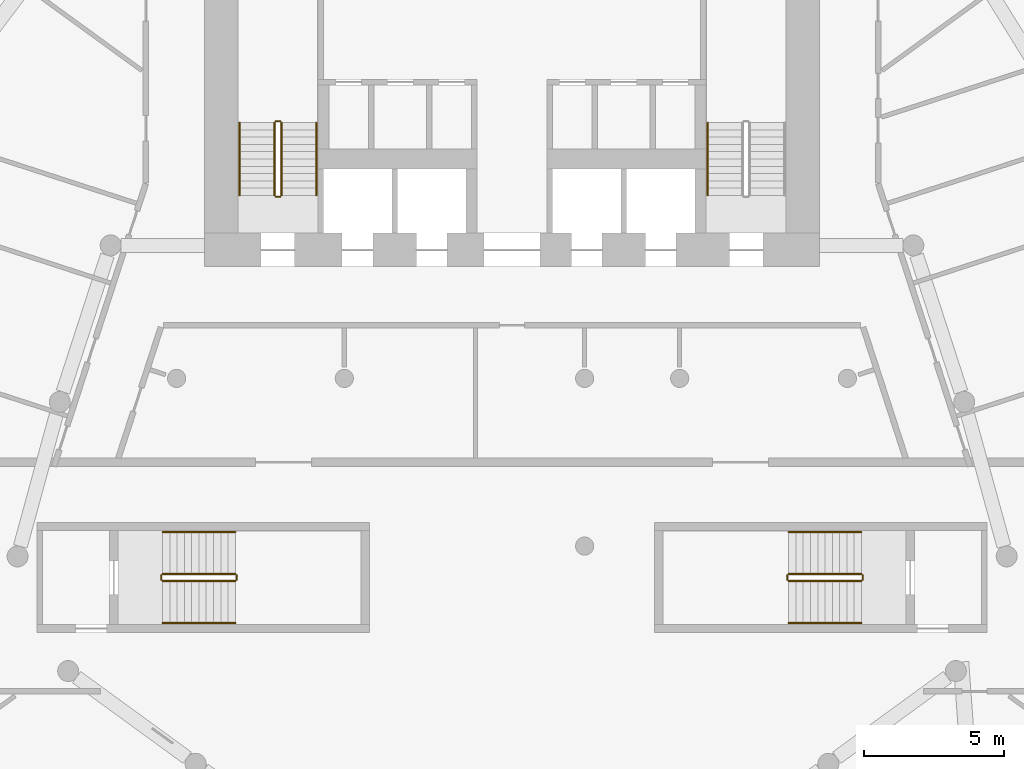
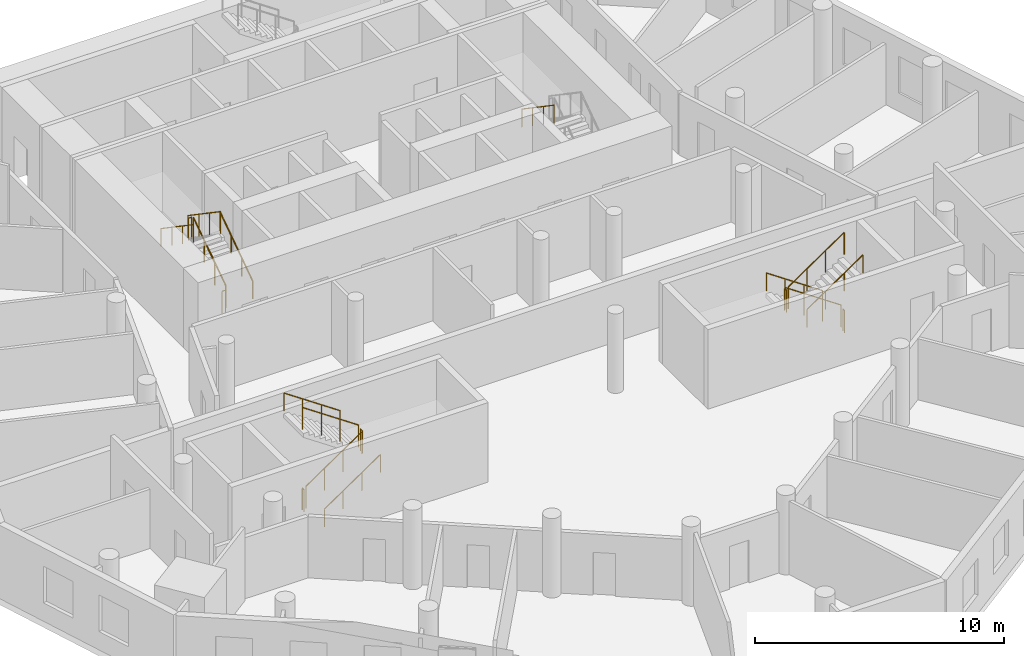
# One storey, part 8 of 9: 19 railings.
"""IFC4 building model written with IfcOpenShell, lengths in metres."""

from ifc_helpers import new_model, si_unit, direction, frame, origin, origin_2d, place, context, subcontext, project, spatial, circle, extrude, material, type_object, element, save


model = new_model("IFC4")

# Units and contexts
model_context = context("Model", 3, precision=1e-05, world=origin(), true_north=direction((0.0, 1.0)))
body_context = subcontext(model_context, "Body", "Model", "MODEL_VIEW")
ifc_project = project(units=[si_unit("LENGTHUNIT", "METRE"), si_unit("AREAUNIT", "SQUARE_METRE"), si_unit("VOLUMEUNIT", "CUBIC_METRE"), si_unit("PLANEANGLEUNIT", "RADIAN"), si_unit("MASSUNIT", "GRAM", prefix="KILO")], contexts=[model_context])

# Site, building, storey
site_placement = place(None, origin())
site = spatial("IfcSite", under=ifc_project, at=site_placement, CompositionType="ELEMENT")
building_placement = place(site_placement, origin())
building = spatial("IfcBuilding", under=site, at=building_placement, Name="White Candle Pilgrim Tower", CompositionType="ELEMENT")
storey_placement = place(building_placement, frame((0.0, 0.0, 58.5)))
storey = spatial("IfcBuildingStorey", under=building, at=storey_placement, Name="L11", CompositionType="ELEMENT", Elevation=58.5)

# Railings
ifc_material = material(Name="Stainless steel", Category="steel")
railing_type_1 = type_object("IfcRailingType", Name="Stair guard stainless steel 1100 mm", PredefinedType="GUARDRAIL", material=ifc_material)
railing_1_placement = place(storey_placement, frame((61.75, 73.550048828125, 0.17724609375)))
element("IfcRailing", 1, at=railing_1_placement, inside=storey, type_object=railing_type_1, Name="L11 ST1 stair guard 1", PredefinedType="GUARDRAIL", context=body_context, shape_type="SweptSolid", body=[
    extrude(circle(Radius=0.02392578125, at=origin_2d()), frame((0.0, 0.0, 1.076171875), z_axis=(0.0, 0.826215852431, 0.563353676824), x_axis=(-1.0, 0.0, 0.0)), (0.0, 0.0, 1.0), 3.146728515625),
    extrude(circle(Radius=0.02099609375, at=origin_2d()), origin(), (0.0, 0.0, 1.0), 1.052001953125),
    extrude(circle(Radius=0.02099609375, at=origin_2d()), frame((0.0, 0.86669921875, 0.5908203125)), (0.0, 0.0, 1.0), 1.052001953125),
    extrude(circle(Radius=0.02099609375, at=origin_2d()), frame((0.0, 1.733154296875, 1.181884765625)), (0.0, 0.0, 1.0), 1.052001953125),
    extrude(circle(Radius=0.02099609375, at=origin_2d()), frame((0.0, 2.599853515625, 1.772705078125)), (0.0, 0.0, 1.0), 1.052001953125),
])
railing_2_placement = place(storey_placement, frame((61.699951171875, 76.199951171875, 1.949951171875)))
element("IfcRailing", 2, at=railing_2_placement, inside=storey, type_object=railing_type_1, Name="L11 ST1 stair guard 2", PredefinedType="GUARDRAIL", context=body_context, shape_type="SweptSolid", body=[
    extrude(circle(Radius=0.02392578125, at=origin_2d()), frame((0.0, 0.0, 1.076171875), z_axis=(-1.0, 0.0, 0.0), x_axis=(0.0, -1.0, 0.0)), (0.0, 0.0, 1.0), 0.14990234375),
    extrude(circle(Radius=0.02099609375, at=origin_2d()), origin(), (0.0, 0.0, 1.0), 1.052001953125),
    extrude(circle(Radius=0.02099609375, at=origin_2d()), frame((-0.14990234375, 0.0, 0.0)), (0.0, 0.0, 1.0), 1.052001953125),
])
railing_3_placement = place(storey_placement, frame((61.5, 76.14990234375, 2.127197265625)))
element("IfcRailing", 3, at=railing_3_placement, inside=storey, type_object=railing_type_1, Name="L11 ST1 stair guard 3", PredefinedType="GUARDRAIL", context=body_context, shape_type="SweptSolid", body=[
    extrude(circle(Radius=0.02392578125, at=origin_2d()), frame((0.0, 0.0, 1.076171875), z_axis=(0.0, -0.826215852431, 0.563353676824), x_axis=(1.0, 0.0, 0.0)), (0.0, 0.0, 1.0), 3.146728515625),
    extrude(circle(Radius=0.02099609375, at=origin_2d()), origin(), (0.0, 0.0, 1.0), 1.052001953125),
    extrude(circle(Radius=0.02099609375, at=origin_2d()), frame((0.0, -0.86669921875, 0.5908203125)), (0.0, 0.0, 1.0), 1.052001953125),
    extrude(circle(Radius=0.02099609375, at=origin_2d()), frame((0.0, -1.733154296875, 1.181884765625)), (0.0, 0.0, 1.0), 1.052001953125),
    extrude(circle(Radius=0.02099609375, at=origin_2d()), frame((0.0, -2.599853515625, 1.772705078125)), (0.0, 0.0, 1.0), 1.052001953125),
])
railing_4_placement = place(storey_placement, frame((61.699951171875, 73.5, 0.0)))
element("IfcRailing", 4, at=railing_4_placement, inside=storey, type_object=railing_type_1, Name="L11 ST1 stair guard 4", PredefinedType="GUARDRAIL", context=body_context, shape_type="SweptSolid", body=[
    extrude(circle(Radius=0.02392578125, at=origin_2d()), frame((0.0, 0.0, 1.076171875), z_axis=(-1.0, 0.0, 0.0), x_axis=(0.0, -1.0, 0.0)), (0.0, 0.0, 1.0), 0.14990234375),
    extrude(circle(Radius=0.02099609375, at=origin_2d()), origin(), (0.0, 0.0, 1.0), 1.052001953125),
    extrude(circle(Radius=0.02099609375, at=origin_2d()), frame((-0.14990234375, 0.0, 0.0)), (0.0, 0.0, 1.0), 1.052001953125),
])
railing_5_placement = place(storey_placement, frame((82.5, 60.0, 0.17724609375)))
element("IfcRailing", 5, at=railing_5_placement, inside=storey, type_object=railing_type_1, Name="L11 ST4 stair guard 1", PredefinedType="GUARDRAIL", context=body_context, shape_type="SweptSolid", body=[
    extrude(circle(Radius=0.02392578125, at=origin_2d()), frame((0.0, 0.0, 1.076171875), z_axis=(-0.826240473404, 0.0, 0.563317565952), x_axis=(0.0, -1.0, 0.0)), (0.0, 0.0, 1.0), 3.14697265625),
    extrude(circle(Radius=0.02099609375, at=origin_2d()), origin(), (0.0, 0.0, 1.0), 1.052001953125),
    extrude(circle(Radius=0.02099609375, at=origin_2d()), frame((-0.86669921875, 0.0, 0.5908203125)), (0.0, 0.0, 1.0), 1.052001953125),
    extrude(circle(Radius=0.02099609375, at=origin_2d()), frame((-1.7333984375, 0.0, 1.181884765625)), (0.0, 0.0, 1.0), 1.052001953125),
    extrude(circle(Radius=0.02099609375, at=origin_2d()), frame((-2.60009765625, 0.0, 1.772705078125)), (0.0, 0.0, 1.0), 1.052001953125),
])
railing_6_placement = place(storey_placement, frame((79.85009765625, 59.949951171875, 1.949951171875)))
element("IfcRailing", 6, at=railing_6_placement, inside=storey, type_object=railing_type_1, Name="L11 ST4 stair guard 2", PredefinedType="GUARDRAIL", context=body_context, shape_type="SweptSolid", body=[
    extrude(circle(Radius=0.02392578125, at=origin_2d()), frame((0.0, 0.0, 1.076171875), z_axis=(0.0, -1.0, 0.0), x_axis=(1.0, 0.0, 0.0)), (0.0, 0.0, 1.0), 0.14990234375),
    extrude(circle(Radius=0.02099609375, at=origin_2d()), origin(), (0.0, 0.0, 1.0), 1.052001953125),
    extrude(circle(Radius=0.02099609375, at=origin_2d()), frame((0.0, -0.14990234375, 0.0)), (0.0, 0.0, 1.0), 1.052001953125),
])
railing_7_placement = place(storey_placement, frame((79.89990234375, 59.75, 2.127197265625)))
element("IfcRailing", 7, at=railing_7_placement, inside=storey, type_object=railing_type_1, Name="L11 ST4 stair guard 3", PredefinedType="GUARDRAIL", context=body_context, shape_type="SweptSolid", body=[
    extrude(circle(Radius=0.02392578125, at=origin_2d()), frame((0.0, 0.0, 1.076171875), z_axis=(0.826240473404, 0.0, 0.563317565952), x_axis=(0.0, 1.0, 0.0)), (0.0, 0.0, 1.0), 3.14697265625),
    extrude(circle(Radius=0.02099609375, at=origin_2d()), origin(), (0.0, 0.0, 1.0), 1.052001953125),
    extrude(circle(Radius=0.02099609375, at=origin_2d()), frame((0.86669921875, 0.0, 0.5908203125)), (0.0, 0.0, 1.0), 1.052001953125),
    extrude(circle(Radius=0.02099609375, at=origin_2d()), frame((1.7333984375, 0.0, 1.181884765625)), (0.0, 0.0, 1.0), 1.052001953125),
    extrude(circle(Radius=0.02099609375, at=origin_2d()), frame((2.60009765625, 0.0, 1.772705078125)), (0.0, 0.0, 1.0), 1.052001953125),
])
railing_8_placement = place(storey_placement, frame((82.550048828125, 59.949951171875, 0.0)))
element("IfcRailing", 8, at=railing_8_placement, inside=storey, type_object=railing_type_1, Name="L11 ST4 stair guard 4", PredefinedType="GUARDRAIL", context=body_context, shape_type="SweptSolid", body=[
    extrude(circle(Radius=0.02392578125, at=origin_2d()), frame((0.0, 0.0, 1.076171875), z_axis=(0.0, -1.0, 0.0), x_axis=(1.0, 0.0, 0.0)), (0.0, 0.0, 1.0), 0.14990234375),
    extrude(circle(Radius=0.02099609375, at=origin_2d()), origin(), (0.0, 0.0, 1.0), 1.052001953125),
    extrude(circle(Radius=0.02099609375, at=origin_2d()), frame((0.0, -0.14990234375, 0.0)), (0.0, 0.0, 1.0), 1.052001953125),
])
railing_9_placement = place(storey_placement, frame((57.5, 59.75, 0.17724609375)))
element("IfcRailing", 9, at=railing_9_placement, inside=storey, type_object=railing_type_1, Name="L11 ST5 stair guard 1", PredefinedType="GUARDRAIL", context=body_context, shape_type="SweptSolid", body=[
    extrude(circle(Radius=0.02392578125, at=origin_2d()), frame((0.0, 0.0, 1.076171875), z_axis=(0.826240473404, 0.0, 0.563317565952), x_axis=(0.0, 1.0, 0.0)), (0.0, 0.0, 1.0), 3.14697265625),
    extrude(circle(Radius=0.02099609375, at=origin_2d()), origin(), (0.0, 0.0, 1.0), 1.052001953125),
    extrude(circle(Radius=0.02099609375, at=origin_2d()), frame((0.86669921875, 0.0, 0.5908203125)), (0.0, 0.0, 1.0), 1.052001953125),
    extrude(circle(Radius=0.02099609375, at=origin_2d()), frame((1.7333984375, 0.0, 1.181884765625)), (0.0, 0.0, 1.0), 1.052001953125),
    extrude(circle(Radius=0.02099609375, at=origin_2d()), frame((2.60009765625, 0.0, 1.772705078125)), (0.0, 0.0, 1.0), 1.052001953125),
])
railing_10_placement = place(storey_placement, frame((60.14990234375, 59.800048828125, 1.949951171875)))
element("IfcRailing", 10, at=railing_10_placement, inside=storey, type_object=railing_type_1, Name="L11 ST5 stair guard 2", PredefinedType="GUARDRAIL", context=body_context, shape_type="SweptSolid", body=[
    extrude(circle(Radius=0.02392578125, at=origin_2d()), frame((0.0, 0.0, 1.076171875), z_axis=(0.0, 1.0, 0.0), x_axis=(-1.0, 0.0, 0.0)), (0.0, 0.0, 1.0), 0.14990234375),
    extrude(circle(Radius=0.02099609375, at=origin_2d()), origin(), (0.0, 0.0, 1.0), 1.052001953125),
    extrude(circle(Radius=0.02099609375, at=origin_2d()), frame((0.0, 0.14990234375, 0.0)), (0.0, 0.0, 1.0), 1.052001953125),
])
railing_11_placement = place(storey_placement, frame((60.10009765625, 60.0, 2.127197265625)))
element("IfcRailing", 11, at=railing_11_placement, inside=storey, type_object=railing_type_1, Name="L11 ST5 stair guard 3", PredefinedType="GUARDRAIL", context=body_context, shape_type="SweptSolid", body=[
    extrude(circle(Radius=0.02392578125, at=origin_2d()), frame((0.0, 0.0, 1.076171875), z_axis=(-0.826240473404, 0.0, 0.563317565952), x_axis=(0.0, -1.0, 0.0)), (0.0, 0.0, 1.0), 3.14697265625),
    extrude(circle(Radius=0.02099609375, at=origin_2d()), origin(), (0.0, 0.0, 1.0), 1.052001953125),
    extrude(circle(Radius=0.02099609375, at=origin_2d()), frame((-0.86669921875, 0.0, 0.5908203125)), (0.0, 0.0, 1.0), 1.052001953125),
    extrude(circle(Radius=0.02099609375, at=origin_2d()), frame((-1.7333984375, 0.0, 1.181884765625)), (0.0, 0.0, 1.0), 1.052001953125),
    extrude(circle(Radius=0.02099609375, at=origin_2d()), frame((-2.60009765625, 0.0, 1.772705078125)), (0.0, 0.0, 1.0), 1.052001953125),
])
railing_12_placement = place(storey_placement, frame((57.449951171875, 59.800048828125, 0.0)))
element("IfcRailing", 12, at=railing_12_placement, inside=storey, type_object=railing_type_1, Name="L11 ST5 stair guard 4", PredefinedType="GUARDRAIL", context=body_context, shape_type="SweptSolid", body=[
    extrude(circle(Radius=0.02392578125, at=origin_2d()), frame((0.0, 0.0, 1.076171875), z_axis=(0.0, 1.0, 0.0), x_axis=(-1.0, 0.0, 0.0)), (0.0, 0.0, 1.0), 0.14990234375),
    extrude(circle(Radius=0.02099609375, at=origin_2d()), origin(), (0.0, 0.0, 1.0), 1.052001953125),
    extrude(circle(Radius=0.02099609375, at=origin_2d()), frame((0.0, 0.14990234375, 0.0)), (0.0, 0.0, 1.0), 1.052001953125),
])
railing_type_2 = type_object("IfcRailingType", Name="Stair handrail stainless steel", PredefinedType="HANDRAIL", material=ifc_material)
railing_13_placement = place(storey_placement, frame((63.0, 73.550048828125, 0.17724609375)))
element("IfcRailing", 13, at=railing_13_placement, inside=storey, type_object=railing_type_2, Name="L11 ST1 stair handrail 1", PredefinedType="HANDRAIL", context=body_context, shape_type="SweptSolid", body=[
    extrude(circle(Radius=0.02392578125, at=origin_2d()), frame((0.0, 0.0, 0.8759765625), z_axis=(0.0, 0.826215852431, 0.563353676824), x_axis=(-1.0, 0.0, 0.0)), (0.0, 0.0, 1.0), 3.146728515625),
    extrude(circle(Radius=0.02099609375, at=origin_2d()), origin(), (0.0, 0.0, 1.0), 0.851806640625),
    extrude(circle(Radius=0.02099609375, at=origin_2d()), frame((0.0, 0.86669921875, 0.5908203125)), (0.0, 0.0, 1.0), 0.851806640625),
    extrude(circle(Radius=0.02099609375, at=origin_2d()), frame((0.0, 1.733154296875, 1.181884765625)), (0.0, 0.0, 1.0), 0.851806640625),
    extrude(circle(Radius=0.02099609375, at=origin_2d()), frame((0.0, 2.599853515625, 1.772705078125)), (0.0, 0.0, 1.0), 0.851806640625),
])
for number, where, name in (
    (14, (60.25, 76.14990234375, 2.127197265625), "L11 ST1 stair handrail 2"),
    (15, (77.0, 76.14990234375, 2.127197265625), "L11 ST2 stair handrail 2"),
):
    element("IfcRailing", number, at=place(storey_placement, frame(where)), inside=storey, type_object=railing_type_2, Name=name, PredefinedType="HANDRAIL", context=body_context, shape_type="SweptSolid", body=[
        extrude(circle(Radius=0.02392578125, at=origin_2d()), frame((0.0, 0.0, 0.8759765625), z_axis=(0.0, -0.826215852431, 0.563353676824), x_axis=(1.0, 0.0, 0.0)), (0.0, 0.0, 1.0), 3.146728515625),
        extrude(circle(Radius=0.02099609375, at=origin_2d()), origin(), (0.0, 0.0, 1.0), 0.851806640625),
        extrude(circle(Radius=0.02099609375, at=origin_2d()), frame((0.0, -0.86669921875, 0.5908203125)), (0.0, 0.0, 1.0), 0.851806640625),
        extrude(circle(Radius=0.02099609375, at=origin_2d()), frame((0.0, -1.733154296875, 1.181884765625)), (0.0, 0.0, 1.0), 0.851806640625),
        extrude(circle(Radius=0.02099609375, at=origin_2d()), frame((0.0, -2.599853515625, 1.772705078125)), (0.0, 0.0, 1.0), 0.851806640625),
    ])
railing_14_placement = place(storey_placement, frame((82.5, 61.5, 0.17724609375)))
element("IfcRailing", 16, at=railing_14_placement, inside=storey, type_object=railing_type_2, Name="L11 ST4 stair handrail 1", PredefinedType="HANDRAIL", context=body_context, shape_type="SweptSolid", body=[
    extrude(circle(Radius=0.02392578125, at=origin_2d()), frame((0.0, 0.0, 0.8759765625), z_axis=(-0.826240473404, 0.0, 0.563317565952), x_axis=(0.0, -1.0, 0.0)), (0.0, 0.0, 1.0), 3.14697265625),
    extrude(circle(Radius=0.02099609375, at=origin_2d()), origin(), (0.0, 0.0, 1.0), 0.851806640625),
    extrude(circle(Radius=0.02099609375, at=origin_2d()), frame((-0.86669921875, 0.0, 0.5908203125)), (0.0, 0.0, 1.0), 0.851806640625),
    extrude(circle(Radius=0.02099609375, at=origin_2d()), frame((-1.7333984375, 0.0, 1.181884765625)), (0.0, 0.0, 1.0), 0.851806640625),
    extrude(circle(Radius=0.02099609375, at=origin_2d()), frame((-2.60009765625, 0.0, 1.772705078125)), (0.0, 0.0, 1.0), 0.851806640625),
])
for number, where, name in (
    (17, (79.89990234375, 58.25, 2.127197265625), "L11 ST4 stair handrail 2"),
    (18, (57.5, 58.25, 0.17724609375), "L11 ST5 stair handrail 1"),
):
    element("IfcRailing", number, at=place(storey_placement, frame(where)), inside=storey, type_object=railing_type_2, Name=name, PredefinedType="HANDRAIL", context=body_context, shape_type="SweptSolid", body=[
        extrude(circle(Radius=0.02392578125, at=origin_2d()), frame((0.0, 0.0, 0.8759765625), z_axis=(0.826240473404, 0.0, 0.563317565952), x_axis=(0.0, 1.0, 0.0)), (0.0, 0.0, 1.0), 3.14697265625),
        extrude(circle(Radius=0.02099609375, at=origin_2d()), origin(), (0.0, 0.0, 1.0), 0.851806640625),
        extrude(circle(Radius=0.02099609375, at=origin_2d()), frame((0.86669921875, 0.0, 0.5908203125)), (0.0, 0.0, 1.0), 0.851806640625),
        extrude(circle(Radius=0.02099609375, at=origin_2d()), frame((1.7333984375, 0.0, 1.181884765625)), (0.0, 0.0, 1.0), 0.851806640625),
        extrude(circle(Radius=0.02099609375, at=origin_2d()), frame((2.60009765625, 0.0, 1.772705078125)), (0.0, 0.0, 1.0), 0.851806640625),
    ])
railing_15_placement = place(storey_placement, frame((60.10009765625, 61.5, 2.127197265625)))
element("IfcRailing", 19, at=railing_15_placement, inside=storey, type_object=railing_type_2, Name="L11 ST5 stair handrail 2", PredefinedType="HANDRAIL", context=body_context, shape_type="SweptSolid", body=[
    extrude(circle(Radius=0.02392578125, at=origin_2d()), frame((0.0, 0.0, 0.8759765625), z_axis=(-0.826240473404, 0.0, 0.563317565952), x_axis=(0.0, -1.0, 0.0)), (0.0, 0.0, 1.0), 3.14697265625),
    extrude(circle(Radius=0.02099609375, at=origin_2d()), origin(), (0.0, 0.0, 1.0), 0.851806640625),
    extrude(circle(Radius=0.02099609375, at=origin_2d()), frame((-0.86669921875, 0.0, 0.5908203125)), (0.0, 0.0, 1.0), 0.851806640625),
    extrude(circle(Radius=0.02099609375, at=origin_2d()), frame((-1.7333984375, 0.0, 1.181884765625)), (0.0, 0.0, 1.0), 0.851806640625),
    extrude(circle(Radius=0.02099609375, at=origin_2d()), frame((-2.60009765625, 0.0, 1.772705078125)), (0.0, 0.0, 1.0), 0.851806640625),
])

save(model, "model.ifc")
